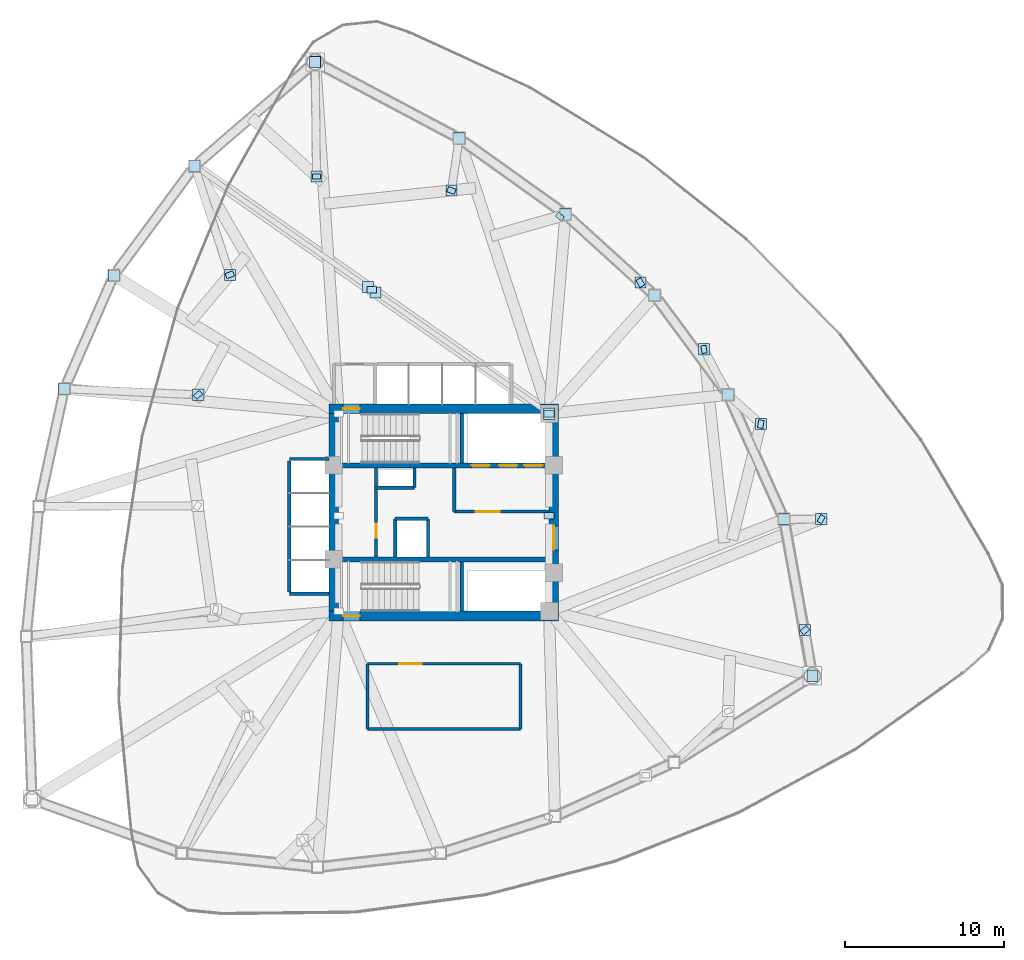
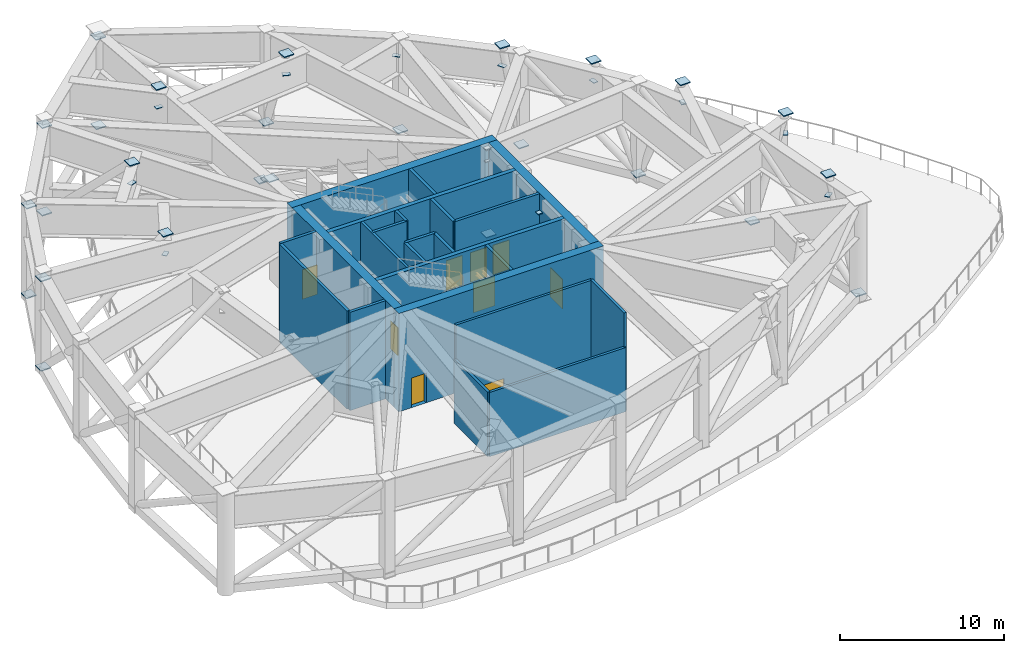
# One storey, part 4 of 8: 40 plates, 23 walls, 9 doors, 9 openings.
"""IFC4 building model written with IfcOpenShell, lengths in metres."""

import ifcopenshell
import ifcopenshell.guid

model = None  # the IFC model being written
_history = None  # IfcOwnerHistory: only IFC2X3 demands one
_inside = {}  # id of a spatial element -> (the spatial element, [elements in it])
_under = {}  # id of a project, library or spatial element -> (it, [spatial elements below it])
_declared = {}  # id of a project -> (the project, [libraries it declares])
_typed = {}  # id of a type object -> (the type object, [elements of that type])
_made_of = {}  # id of a material, layer set ... -> (it, [elements and type objects made of it])


def new_model(schema):
    """Start an empty IFC model of exactly this schema.

    Asked for "IFC4X3", IfcOpenShell would pick the latest addendum, in which some entities
    have other attributes; the version numbers below select the first issue.
    IFC2X3 requires an IfcOwnerHistory on every rooted entity: one is made here for all.
    """
    global model, _history
    if schema == "IFC4X3":
        model = ifcopenshell.file(schema_version=(4, 3, 0, 0))
    else:
        model = ifcopenshell.file(schema=schema)
    _inside.clear()
    _under.clear()
    _declared.clear()
    _typed.clear()
    _made_of.clear()
    _history = None
    if model.schema == "IFC2X3":
        org = make("IfcOrganization", Name="unknown")
        user = make(
            "IfcPersonAndOrganization",
            ThePerson=make("IfcPerson", FamilyName="unknown"),
            TheOrganization=org,
        )
        app = make(
            "IfcApplication",
            ApplicationDeveloper=org,
            Version="unknown",
            ApplicationFullName="unknown",
            ApplicationIdentifier="unknown",
        )
        _history = make(
            "IfcOwnerHistory",
            OwningUser=user,
            OwningApplication=app,
            ChangeAction="ADDED",
            CreationDate=0,
        )
    return model


def make(cls, **values):
    """One entity of the class cls with the attributes given. An attribute that is None is left unset."""
    return model.create_entity(
        cls, **{name: value for name, value in values.items() if value is not None}
    )


def rooted(cls, **values):
    """An entity with a GlobalId (a new one), such as an element, a storey or a relation."""
    return make(cls, GlobalId=ifcopenshell.guid.new(), OwnerHistory=_history, **values)


def si_unit(unit_type, name, prefix=None):
    """IfcSIUnit, for example si_unit("LENGTHUNIT", "METRE", prefix="MILLI")."""
    return make("IfcSIUnit", UnitType=unit_type, Prefix=prefix, Name=name)


def assignment(units):
    """IfcUnitAssignment: the units of a project."""
    return None if units is None else make("IfcUnitAssignment", Units=units)


def point(xyz):
    """IfcCartesianPoint."""
    return None if xyz is None else make("IfcCartesianPoint", Coordinates=xyz)


def direction(xyz):
    """IfcDirection."""
    return None if xyz is None else make("IfcDirection", DirectionRatios=xyz)


def frame(location, z_axis=None, x_axis=None):
    """IfcAxis2Placement3D, a coordinate frame: its origin and axes. An axis left out is left unset."""
    return make(
        "IfcAxis2Placement3D",
        Location=point(location),
        Axis=direction(z_axis),
        RefDirection=direction(x_axis),
    )


def frame_2d(location, x_axis=None):
    """IfcAxis2Placement2D, a coordinate frame in the plane: its origin and x axis."""
    return make(
        "IfcAxis2Placement2D", Location=point(location), RefDirection=direction(x_axis)
    )


def origin():
    """The frame at (0, 0, 0) with its axes left unset."""
    return frame((0.0, 0.0, 0.0))


def origin_2d():
    """The frame at (0, 0) in the plane with its x axis left unset."""
    return frame_2d((0.0, 0.0))


def place(relative_to, where):
    """IfcLocalPlacement: puts the frame where relative to a parent placement (None: the world)."""
    return make(
        "IfcLocalPlacement", PlacementRelTo=relative_to, RelativePlacement=where
    )


def context(
    kind, dimensions, precision=None, world=None, true_north=None, identifier=None
):
    """IfcGeometricRepresentationContext, for example the 3D "Model" context."""
    return make(
        "IfcGeometricRepresentationContext",
        ContextIdentifier=identifier,
        ContextType=kind,
        CoordinateSpaceDimension=dimensions,
        Precision=precision,
        WorldCoordinateSystem=world,
        TrueNorth=true_north,
    )


def subcontext(parent, identifier, kind, view, scale=None):
    """IfcGeometricRepresentationSubContext, for example "Body" below "Model"."""
    return make(
        "IfcGeometricRepresentationSubContext",
        ContextIdentifier=identifier,
        ContextType=kind,
        ParentContext=parent,
        TargetScale=scale,
        TargetView=view,
    )


def project(units=None, contexts=None):
    """IfcProject with its units and contexts."""
    return rooted(
        "IfcProject",
        Name="project",
        RepresentationContexts=contexts,
        UnitsInContext=assignment(units),
    )


def spatial(cls, under=None, at=None, **own):
    """A site, building, storey or space (cls), placed at a placement, below another one or the project."""
    s = rooted(cls, ObjectPlacement=at, **own)
    if under is not None:
        _under.setdefault(under.id(), (under, []))[1].append(s)
    return s


def profile(cls, at=None, kind="AREA", **sizes):
    """A parametric profile (cls). Its sizes go by their IFC names, for example OverallWidth=200.0."""
    return make(cls, ProfileType=kind, Position=at, **sizes)


def rectangle(**sizes):
    """IfcRectangleProfileDef."""
    return profile("IfcRectangleProfileDef", **sizes)


def extrude(swept, where, along, depth):
    """IfcExtrudedAreaSolid: the profile swept, set in the frame where, extruded along a direction by depth."""
    return make(
        "IfcExtrudedAreaSolid",
        SweptArea=swept,
        Position=where,
        ExtrudedDirection=direction(along),
        Depth=depth,
    )


def shape(context_of_items, identifier, shape_type, items):
    """IfcShapeRepresentation: the items that make up one representation, for example the "Body"."""
    return make(
        "IfcShapeRepresentation",
        ContextOfItems=context_of_items,
        RepresentationIdentifier=identifier,
        RepresentationType=shape_type,
        Items=items,
    )


def source(mapping_origin, context_of_items, identifier, shape_type, items):
    """IfcRepresentationMap: a shape defined once, which mapped items show again and again."""
    return make(
        "IfcRepresentationMap",
        MappingOrigin=mapping_origin,
        MappedRepresentation=shape(context_of_items, identifier, shape_type, items),
    )


def transform(
    local_origin,
    x_axis=None,
    y_axis=None,
    z_axis=None,
    scale=None,
    scale2=None,
    scale3=None,
    uniform=True,
):
    """IfcCartesianTransformationOperator3D, or its non-uniform kind. x_axis, y_axis, z_axis: its Axis1, 2, 3."""
    if uniform:
        return make(
            "IfcCartesianTransformationOperator3D",
            Axis1=direction(x_axis),
            Axis2=direction(y_axis),
            LocalOrigin=point(local_origin),
            Scale=scale,
            Axis3=direction(z_axis),
        )
    return make(
        "IfcCartesianTransformationOperator3DnonUniform",
        Axis1=direction(x_axis),
        Axis2=direction(y_axis),
        LocalOrigin=point(local_origin),
        Scale=scale,
        Axis3=direction(z_axis),
        Scale2=scale2,
        Scale3=scale3,
    )


def mapped(mapping_source, mapping_target):
    """IfcMappedItem: shows the shape of a source again, moved by a transform."""
    return make(
        "IfcMappedItem", MappingSource=mapping_source, MappingTarget=mapping_target
    )


def material(Name=None, Category=None):
    """IfcMaterial."""
    return make("IfcMaterial", Name=Name, Category=Category)


def layer(
    of_material, thickness, ventilated=None, Name=None, Category=None, Priority=None
):
    """IfcMaterialLayer: one layer of a wall or slab, of a material (None: an air gap)."""
    return make(
        "IfcMaterialLayer",
        Material=of_material,
        LayerThickness=thickness,
        IsVentilated=ventilated,
        Name=Name,
        Category=Category,
        Priority=Priority,
    )


def layer_set(layers, Name=None):
    """IfcMaterialLayerSet."""
    return make("IfcMaterialLayerSet", MaterialLayers=layers, LayerSetName=Name)


def made_of(thing, what):
    """Note that an element or type object is made of a material, layer set ...; save() writes the relation."""
    if what is not None:
        _made_of.setdefault(what.id(), (what, []))[1].append(thing)
    return thing


def type_object(cls, material=None, **own):
    """A type object (cls), such as IfcWallType, which elements share."""
    return made_of(rooted(cls, **own), material)


def type_shapes(of_type, sources):
    """Give a type object the sources (RepresentationMaps) that its elements show as mapped items."""
    of_type.RepresentationMaps = sources


def element(
    cls,
    number,
    at=None,
    inside=None,
    cuts=None,
    type_object=None,
    material=None,
    context=None,
    identifier="Body",
    shape_type=None,
    held_by="IfcProductDefinitionShape",
    body=None,
    shapes=None,
    **own,
):
    """One element of the class cls, such as IfcWall. Its Tag is "e" and its number.

    at: its placement. inside: the storey or other place that contains it. cuts: it is an
    opening in that element (IfcRelVoidsElement). A single representation is given by context,
    identifier, shape_type and body (its items); several are given by shapes. held_by: the class
    of the entity that holds the representations. save() writes the other relations.
    """
    e = rooted(cls, Tag="e%d" % number, ObjectPlacement=at, **own)
    if body is not None:
        shapes = [shape(context, identifier, shape_type, body)]
    if shapes is not None:
        e.Representation = make(held_by, Representations=shapes)
    if inside is not None:
        _inside.setdefault(inside.id(), (inside, []))[1].append(e)
    if cuts is not None:
        rooted(
            "IfcRelVoidsElement", RelatingBuildingElement=cuts, RelatedOpeningElement=e
        )
    if type_object is not None:
        _typed.setdefault(type_object.id(), (type_object, []))[1].append(e)
    return made_of(e, material)


def fill(opening, filler):
    """IfcRelFillsElement: the door or window that sits in an opening."""
    return rooted(
        "IfcRelFillsElement",
        RelatingOpeningElement=opening,
        RelatedBuildingElement=filler,
    )


def aggregate(whole, parts):
    """IfcRelAggregates: a whole, such as a stair, and the parts it consists of."""
    return rooted("IfcRelAggregates", RelatingObject=whole, RelatedObjects=parts)


def save(model, path):
    """Write the relations noted so far, then the file.

    IfcRelAggregates (storeys below a building ...), IfcRelContainedInSpatialStructure (elements
    in a storey), IfcRelDefinesByType, IfcRelAssociatesMaterial and IfcRelDeclares: one each for
    every whole, place, type object, material and project.
    """
    for whole, parts in _under.values():
        aggregate(whole, parts)
    for where, things in _inside.values():
        rooted(
            "IfcRelContainedInSpatialStructure",
            RelatedElements=things,
            RelatingStructure=where,
        )
    for kind, things in _typed.values():
        rooted("IfcRelDefinesByType", RelatedObjects=things, RelatingType=kind)
    for what, things in _made_of.values():
        rooted("IfcRelAssociatesMaterial", RelatedObjects=things, RelatingMaterial=what)
    for by, libraries in _declared.values():
        rooted("IfcRelDeclares", RelatingContext=by, RelatedDefinitions=libraries)
    model.write(path)


model = new_model("IFC4")

# Units and contexts
model_context = context("Model", 3, precision=1e-05, world=origin(), true_north=direction((0.0, 1.0)))
body_context = subcontext(model_context, "Body", "Model", "MODEL_VIEW")
ifc_project = project(units=[si_unit("LENGTHUNIT", "METRE"), si_unit("AREAUNIT", "SQUARE_METRE"), si_unit("VOLUMEUNIT", "CUBIC_METRE"), si_unit("PLANEANGLEUNIT", "RADIAN"), si_unit("MASSUNIT", "GRAM", prefix="KILO")], contexts=[model_context])

# Site, building, storey
site_placement = place(None, origin())
site = spatial("IfcSite", under=ifc_project, at=site_placement, CompositionType="ELEMENT")
building_placement = place(site_placement, origin())
building = spatial("IfcBuilding", under=site, at=building_placement, Name="Tavelor Broadcast Tower", CompositionType="ELEMENT")
storey_placement = place(building_placement, frame((0.0, 0.0, 102.800048828125)))
storey = spatial("IfcBuildingStorey", under=building, at=storey_placement, Name="L24", CompositionType="ELEMENT", Elevation=102.800048828125)

# Plates
ifc_material_1 = material(Name="Steel S460", Category="steel")
ifc_layer_1 = layer(ifc_material_1, 0.050048828125)
ifc_layer_set_1 = layer_set([ifc_layer_1], Name="Steel S460")
plate_type_1 = type_object("IfcPlateType", Name="Tube Hollow-End Cap Plate KN05 700x700x50", PredefinedType="USERDEFINED", material=ifc_layer_set_1)
shared_shape_1 = source(origin(), body_context, "Body", "SweptSolid", [
    extrude(rectangle(XDim=0.699951171875, YDim=0.699951171875, at=origin_2d()), origin(), (0.0, 0.0, 1.0), 0.074951171875),
])
type_shapes(plate_type_1, [shared_shape_1])
for number, where, z_axis, x_axis, name in (
    (1, (56.612060546875, 51.191650390625, 0.5087890625), (0.0, 0.0, 1.0), (1.0, 0.0, 0.0), "L24 Hollow End Cap Plate KN05 #700"),
    (2, (34.343994140625, 66.736083984375, 7.01611328125), (0.0, 0.0, 1.0), (1.0, 0.0, 0.0), "L24 Hollow End Cap Plate KN05 #701"),
    (3, (34.343994140625, 66.736083984375, 0.5087890625), (0.0, 0.0, 1.0), (1.0, 0.0, 0.0), "L24 Hollow End Cap Plate KN05 #702"),
    (4, (45.23486328125, 59.1337890625, 3.69140625), (0.0, 0.0, 1.0), (1.0, 0.0, 0.0), "L24 Hollow End Cap Plate KN05 #703"),
    (5, (45.72119140625, 58.794189453125, 3.83349609375), (0.0, 0.0, 1.0), (1.0, 0.0, 0.0), "L24 Hollow End Cap Plate KN05 #704"),
    (6, (56.612060546875, 51.191650390625, 7.01611328125), (0.0, 0.0, 1.0), (1.0, 0.0, 0.0), "L24 Hollow End Cap Plate KN05 #705"),
    (7, (41.934326171875, 73.276123046875, 0.3125), (0.0, 0.0, 1.0), (1.0, 0.0, 0.0), "L24 Hollow End Cap Plate KN05 #706"),
    (8, (29.283203125, 59.859375, 0.3125), (0.0, 0.0, 1.0), (1.0, 0.0, 0.0), "L24 Hollow End Cap Plate KN05 #707"),
    (9, (29.28515625, 59.862060546875, 6.9716796875), (0.0, 0.0, 1.0), (1.0, 0.0, 0.0), "L24 Hollow End Cap Plate KN05 #708"),
    (10, (26.183349609375, 52.744384765625, 0.3125), (0.0, 0.0, 1.0), (1.0, 0.0, 0.0), "L24 Hollow End Cap Plate KN05 #709"),
    (11, (26.184814453125, 52.747802734375, 6.97216796875), (0.0, 0.0, 1.0), (1.0, 0.0, 0.0), "L24 Hollow End Cap Plate KN05 #710"),
    (12, (73.130615234375, 34.751953125, 0.3125), (0.0, 0.0, 1.0), (1.0, 0.0, 0.0), "L24 Hollow End Cap Plate KN05 #722"),
    (13, (71.34130859375, 44.579345703125, 0.3125), (0.0, 0.0, 1.0), (1.0, 0.0, 0.0), "L24 Hollow End Cap Plate KN05 #723"),
    (14, (67.834716796875, 52.396240234375, 0.3125), (0.0, 0.0, 1.0), (1.0, 0.0, 0.0), "L24 Hollow End Cap Plate KN05 #724"),
    (15, (63.215087890625, 58.635986328125, 0.3125), (0.0, 0.0, 1.0), (1.0, 0.0, 0.0), "L24 Hollow End Cap Plate KN05 #725"),
    (16, (57.623779296875, 63.7080078125, 0.3125), (0.0, 0.0, 1.0), (1.0, 0.0, 0.0), "L24 Hollow End Cap Plate KN05 #726"),
    (17, (50.94970703125, 68.477294921875, 0.3125), (0.0, 0.0, 1.0), (1.0, 0.0, 0.0), "L24 Hollow End Cap Plate KN05 #727"),
    (18, (41.912109375, 73.272216796875, 6.970703125), (0.0, 0.0, 1.0), (1.0, 0.0, 0.0), "L24 Hollow End Cap Plate KN05 #728"),
    (19, (42.01123046875, 66.0693359375, 7.5732421875), (0.0, 0.0, 1.0), (1.0, 0.0, 0.0), "L24 Hollow End Cap Plate KN05 #729"),
    (20, (36.571044921875, 59.900634765625, 7.5732421875), (0.0, 0.0, 1.0), (1.0, 0.0, 0.0), "L24 Hollow End Cap Plate KN05 #730"),
    (21, (34.58642578125, 52.37890625, 7.572265625), (0.0, 0.0, 1.0), (1.0, 0.0, 0.0), "L24 Hollow End Cap Plate KN05 #731"),
    (22, (72.658447265625, 37.61279296875, 7.576171875), (0.0, 0.0, 1.0), (1.0, 0.0, 0.0), "L24 Hollow End Cap Plate KN05 #738"),
    (23, (73.6806640625, 44.57958984375, 7.57666015625), (0.0, 0.0, 1.0), (1.0, 0.0, 0.0), "L24 Hollow End Cap Plate KN05 #739"),
    (24, (69.89013671875, 50.54052734375, 7.57666015625), (0.0, 0.0, 1.0), (1.0, 0.0, 0.0), "L24 Hollow End Cap Plate KN05 #740"),
    (25, (66.319091796875, 55.234130859375, 7.576171875), (0.0, 0.0, 1.0), (1.0, 0.0, 0.0), "L24 Hollow End Cap Plate KN05 #741"),
    (26, (62.3291015625, 59.417724609375, 7.5771484375), (0.0, 0.0, 1.0), (1.0, 0.0, 0.0), "L24 Hollow End Cap Plate KN05 #742"),
    (27, (50.4716796875, 65.196044921875, 7.576171875), (0.0, 0.0, 1.0), (1.0, 0.0, 0.0), "L24 Hollow End Cap Plate KN05 #743"),
):
    element("IfcPlate", number, at=place(storey_placement, frame(where, z_axis=z_axis, x_axis=x_axis)), inside=storey, type_object=plate_type_1, Name=name, ObjectType="CAP PLATE", PredefinedType="USERDEFINED", context=body_context, shape_type="MappedRepresentation", body=[
        mapped(shared_shape_1, transform((0.0, 0.0, 0.0), scale=1.0)),
    ])
ifc_layer_2 = layer(ifc_material_1, 0.050048828125)
ifc_layer_set_2 = layer_set([ifc_layer_2], Name="Steel S460")
plate_type_2 = type_object("IfcPlateType", Name="Outrigger Node Gusset Plate KN03 600x400x50", PredefinedType="USERDEFINED", material=ifc_layer_set_2)
shared_shape_2 = source(origin(), body_context, "Body", "SweptSolid", [
    extrude(rectangle(XDim=0.60009765625, YDim=0.39990234375, at=origin_2d()), origin(), (0.0, 0.0, 1.0), 0.050048828125),
])
type_shapes(plate_type_2, [shared_shape_2])
for number, where, z_axis, x_axis, name in (
    (28, (56.60009765625, 44.800048828125, 6.02490234375), (0.0, 0.0, 1.0), (1.0, 0.0, 0.0), "L24 Outrigger Core Node Assembly KN03 #1"),
    (29, (45.47802734375, 58.9638671875, 3.77490234375), (0.0, 0.0, 1.0), (1.0, 0.0, 0.0), "L24 Outrigger X-Brace Crossing Gusset KN03 #2"),
    (30, (56.60009765625, 51.199951171875, 6.02490234375), (0.0, 0.0, 1.0), (1.0, 0.0, 0.0), "L24 Outrigger Core Node Assembly KN03 #2"),
):
    element("IfcPlate", number, at=place(storey_placement, frame(where, z_axis=z_axis, x_axis=x_axis)), inside=storey, type_object=plate_type_2, Name=name, ObjectType="GUSSET PLATE", PredefinedType="USERDEFINED", context=body_context, shape_type="MappedRepresentation", body=[
        mapped(shared_shape_2, transform((0.0, 0.0, 0.0), scale=1.0)),
    ])
ifc_layer_3 = layer(ifc_material_1, 0.0400390625)
ifc_layer_set_3 = layer_set([ifc_layer_3], Name="Steel S460")
plate_type_3 = type_object("IfcPlateType", Name="Belt Node Gusset Plate KN04 480x320x40", PredefinedType="USERDEFINED", material=ifc_layer_set_3)
shared_shape_3 = source(origin(), body_context, "Body", "SweptSolid", [
    extrude(rectangle(XDim=0.47998046875, YDim=0.320068359375, at=origin_2d()), origin(), (0.0, 0.0, 1.0), 0.0400390625),
])
type_shapes(plate_type_3, [shared_shape_3])
for number, where, z_axis, x_axis, name in (
    (31, (42.01123046875, 66.080078125, 6.030029296875), (0.0, 0.0, 1.0), (1.0, 0.0, 0.0), "L24 Belt Slide Node Assembly KN04 #01"),
    (32, (34.5751953125, 52.37939453125, 6.030029296875), (0.0, 0.0, 1.0), (0.766044443119, 0.642787609687, 0.0), "L24 Belt Slide Node Assembly KN04 #03"),
    (33, (73.676025390625, 44.57958984375, 6.030029296875), (0.0, 0.0, 1.0), (-0.5, -0.866025403784, 0.0), "L24 Belt Slide Node Assembly KN04 #13"),
    (34, (66.322021484375, 55.228759765625, 6.030029296875), (0.0, 0.0, 1.0), (0.173648177667, -0.984807753012, 0.0), "L24 Belt Slide Node Assembly KN04 #15"),
    (35, (57.276611328125, 63.568359375, 6.030029296875), (0.0, 0.0, 1.0), (0.766044443119, -0.642787609687, 0.0), "L24 Belt Slide Node Assembly KN04 #17"),
):
    element("IfcPlate", number, at=place(storey_placement, frame(where, z_axis=z_axis, x_axis=x_axis)), inside=storey, type_object=plate_type_3, Name=name, ObjectType="GUSSET PLATE", PredefinedType="USERDEFINED", context=body_context, shape_type="MappedRepresentation", body=[
        mapped(shared_shape_3, transform((0.0, 0.0, 0.0), scale=1.0)),
    ])
ifc_layer_4 = layer(ifc_material_1, 0.044921875)
ifc_layer_set_4 = layer_set([ifc_layer_4], Name="Steel S460")
plate_type_4 = type_object("IfcPlateType", Name="Slide Node Cap Plate KN06 500x340x45", PredefinedType="USERDEFINED", material=ifc_layer_set_4)
shared_shape_4 = source(origin(), body_context, "Body", "SweptSolid", [
    extrude(rectangle(XDim=0.5, YDim=0.340087890625, at=origin_2d()), origin(), (0.0, 0.0, 1.0), 0.044921875),
])
type_shapes(plate_type_4, [shared_shape_4])
for number, where, z_axis, x_axis, name in (
    (36, (36.567626953125, 59.91064453125, 6.027587890625), (0.0, 0.0, 1.0), (0.939692620786, 0.342020143326, 0.0), "L24 Belt Slide Node Assembly KN06 #02"),
    (37, (72.6591796875, 37.607421875, 6.027587890625), (0.0, 0.0, 1.0), (-0.766044443119, -0.642787609687, 0.0), "L24 Belt Slide Node Assembly KN06 #12"),
    (38, (69.885986328125, 50.544189453125, 6.027587890625), (0.0, 0.0, 1.0), (-0.173648177667, -0.984807753012, 0.0), "L24 Belt Slide Node Assembly KN06 #14"),
    (39, (62.330810546875, 59.416259765625, 6.027587890625), (0.0, 0.0, 1.0), (0.5, -0.866025403784, 0.0), "L24 Belt Slide Node Assembly KN06 #16"),
    (40, (50.472412109375, 65.2021484375, 6.027587890625), (0.0, 0.0, 1.0), (0.939692620786, -0.342020143326, 0.0), "L24 Belt Slide Node Assembly KN06 #18"),
):
    element("IfcPlate", number, at=place(storey_placement, frame(where, z_axis=z_axis, x_axis=x_axis)), inside=storey, type_object=plate_type_4, Name=name, ObjectType="CAP PLATE", PredefinedType="USERDEFINED", context=body_context, shape_type="MappedRepresentation", body=[
        mapped(shared_shape_4, transform((0.0, 0.0, 0.0), scale=1.0)),
    ])

# Wall, opening, door
ifc_material_2 = material(Name="Concrete C60/75", Category="concrete")
ifc_layer_5 = layer(ifc_material_2, 0.60009765625)
ifc_layer_set_5 = layer_set([ifc_layer_5], Name="Concrete C60/75")
wall_type_1 = type_object("IfcWallType", Name="Core Shear Wall 600 mm", PredefinedType="SHEAR", material=ifc_layer_set_5)
wall_1_placement = place(storey_placement, frame((42.800048828125, 51.5, 0.0), z_axis=(0.0, 0.0, 1.0), x_axis=(1.0, 0.0, 0.0)))
wall_1 = element("IfcWall", 41, at=wall_1_placement, inside=storey, type_object=wall_type_1, Name="L24 Central Core Shear Wall N", PredefinedType="SHEAR", context=body_context, shape_type="SweptSolid", body=[
    extrude(rectangle(XDim=14.39990234375, YDim=0.60009765625, at=frame_2d((7.199951171875, 0.0))), origin(), (0.0, 0.0, 1.0), 7.300048828125),
])
opening_1_placement = place(wall_1_placement, frame((0.8798828125, 0.0, 0.0)))
opening_1 = element("IfcOpeningElement", 42, at=opening_1_placement, cuts=wall_1, Name="Opening DR11", PredefinedType="OPENING", context=body_context, shape_type="SweptSolid", body=[
    extrude(rectangle(XDim=1.050048828125, YDim=2.199951171875, at=frame_2d((0.52490234375, 1.10009765625))), frame((0.0, 0.31005859375, 0.0), z_axis=(0.0, -1.0, 0.0), x_axis=(1.0, 0.0, 0.0)), (0.0, 0.0, 1.0), 0.6201171875),
])
ifc_material_3 = material(Name="Steel S355", Category="steel")
door_type_1 = type_object("IfcDoorType", Name="Stair Core Fire Escape Door 1050x2200", OperationType="NOTDEFINED", PredefinedType="DOOR", material=ifc_material_3)
door_1_placement = place(opening_1_placement, origin())
door_1 = element("IfcDoor", 43, at=door_1_placement, inside=storey, type_object=door_type_1, Name="L24 Stair ST1 Protected Exit Door", OperationType="SINGLE_SWING_LEFT", OverallHeight=2.199951171875, OverallWidth=1.050048828125, PredefinedType="DOOR", context=body_context, shape_type="SweptSolid", body=[
    extrude(rectangle(XDim=1.050048828125, YDim=2.199951171875, at=frame_2d((0.52490234375, 1.10009765625))), frame((0.0, 0.02490234375, 0.0), z_axis=(0.0, -1.0, 0.0), x_axis=(1.0, 0.0, 0.0)), (0.0, 0.0, 1.0), 0.050048828125),
])
fill(opening_1, door_1)

wall_2_placement = place(storey_placement, frame((42.800048828125, 38.5, 0.0), z_axis=(0.0, 0.0, 1.0), x_axis=(1.0, 0.0, 0.0)))
wall_2 = element("IfcWall", 44, at=wall_2_placement, inside=storey, type_object=wall_type_1, Name="L24 Central Core Shear Wall S", PredefinedType="SHEAR", context=body_context, shape_type="SweptSolid", body=[
    extrude(rectangle(XDim=14.39990234375, YDim=0.60009765625, at=frame_2d((7.199951171875, 0.0))), origin(), (0.0, 0.0, 1.0), 7.300048828125),
])
opening_2_placement = place(wall_2_placement, frame((0.8798828125, 0.0, 0.0)))
opening_2 = element("IfcOpeningElement", 45, at=opening_2_placement, cuts=wall_2, Name="Opening DR11", PredefinedType="OPENING", context=body_context, shape_type="SweptSolid", body=[
    extrude(rectangle(XDim=1.050048828125, YDim=2.199951171875, at=frame_2d((0.52490234375, 1.10009765625))), frame((0.0, 0.31005859375, 0.0), z_axis=(0.0, -1.0, 0.0), x_axis=(1.0, 0.0, 0.0)), (0.0, 0.0, 1.0), 0.6201171875),
])
door_2_placement = place(opening_2_placement, origin())
door_2 = element("IfcDoor", 46, at=door_2_placement, inside=storey, type_object=door_type_1, Name="L24 Stair ST2 Protected Exit Door", OperationType="SINGLE_SWING_RIGHT", OverallHeight=2.199951171875, OverallWidth=1.050048828125, PredefinedType="DOOR", context=body_context, shape_type="SweptSolid", body=[
    extrude(rectangle(XDim=1.050048828125, YDim=2.199951171875, at=frame_2d((0.52490234375, 1.10009765625))), frame((0.0, 0.02490234375, 0.0), z_axis=(0.0, -1.0, 0.0), x_axis=(1.0, 0.0, 0.0)), (0.0, 0.0, 1.0), 0.050048828125),
])
fill(opening_2, door_2)

# Wall
wall_3_placement = place(storey_placement, frame((43.10009765625, 38.800048828125, 0.0), z_axis=(0.0, 0.0, 1.0), x_axis=(0.0, 1.0, 0.0)))
element("IfcWall", 47, at=wall_3_placement, inside=storey, type_object=wall_type_1, Name="L24 Central Core Shear Wall W", PredefinedType="SHEAR", context=body_context, shape_type="SweptSolid", body=[
    extrude(rectangle(XDim=12.39990234375, YDim=0.60009765625, at=frame_2d((6.199951171875, 0.0))), origin(), (0.0, 0.0, 1.0), 7.300048828125),
])

# Wall, opening, door
wall_4_placement = place(storey_placement, frame((56.89990234375, 38.800048828125, 0.0), z_axis=(0.0, 0.0, 1.0), x_axis=(0.0, 1.0, 0.0)))
wall_4 = element("IfcWall", 48, at=wall_4_placement, inside=storey, type_object=wall_type_1, Name="L24 Central Core Shear Wall E", PredefinedType="SHEAR", context=body_context, shape_type="SweptSolid", body=[
    extrude(rectangle(XDim=12.39990234375, YDim=0.60009765625, at=frame_2d((6.199951171875, 0.0))), origin(), (0.0, 0.0, 1.0), 7.300048828125),
])
opening_3_placement = place(wall_4_placement, frame((3.85009765625, 0.0, 0.0)))
opening_3 = element("IfcOpeningElement", 49, at=opening_3_placement, cuts=wall_4, Name="Opening DR14", PredefinedType="OPENING", context=body_context, shape_type="SweptSolid", body=[
    extrude(rectangle(XDim=1.5, YDim=2.199951171875, at=frame_2d((0.75, 1.10009765625))), frame((0.0, 0.31005859375, 0.0), z_axis=(0.0, -1.0, 0.0), x_axis=(1.0, 0.0, 0.0)), (0.0, 0.0, 1.0), 0.6201171875),
])
door_type_2 = type_object("IfcDoorType", Name="Firefighting Lobby Double Fire Door 1500x2200", OperationType="NOTDEFINED", PredefinedType="DOOR", material=ifc_material_3)
door_3_placement = place(opening_3_placement, origin())
door_3 = element("IfcDoor", 50, at=door_3_placement, inside=storey, type_object=door_type_2, Name="L24 Central Core Lobby Fire Door", OperationType="SINGLE_SWING_RIGHT", OverallHeight=2.199951171875, OverallWidth=1.5, PredefinedType="DOOR", context=body_context, shape_type="SweptSolid", body=[
    extrude(rectangle(XDim=1.5, YDim=2.199951171875, at=frame_2d((0.75, 1.10009765625))), frame((0.0, 0.02490234375, 0.0), z_axis=(0.0, -1.0, 0.0), x_axis=(1.0, 0.0, 0.0)), (0.0, 0.0, 1.0), 0.050048828125),
])
fill(opening_3, door_3)

# Wall, openings, doors
ifc_layer_6 = layer(ifc_material_2, 0.300048828125)
ifc_layer_set_6 = layer_set([ifc_layer_6], Name="Concrete C60/75")
wall_type_2 = type_object("IfcWallType", Name="Core Spine Shear Wall 300 mm C60", PredefinedType="SHEAR", material=ifc_layer_set_6)
wall_5_placement = place(storey_placement, frame((43.39990234375, 47.949951171875, 0.0), z_axis=(0.0, 0.0, 1.0), x_axis=(1.0, 0.0, 0.0)))
wall_5 = element("IfcWall", 51, at=wall_5_placement, inside=storey, type_object=wall_type_2, Name="L24 Central Core Shear Wall SP1", PredefinedType="SHEAR", context=body_context, shape_type="SweptSolid", body=[
    extrude(rectangle(XDim=13.2001953125, YDim=0.300048828125, at=frame_2d((6.60009765625, 0.0))), origin(), (0.0, 0.0, 1.0), 7.300048828125),
])
opening_4_placement = place(wall_5_placement, frame((8.344970703125, 0.0, 0.0)))
opening_4 = element("IfcOpeningElement", 52, at=opening_4_placement, cuts=wall_5, Name="Opening LD02", PredefinedType="OPENING", context=body_context, shape_type="SweptSolid", body=[
    extrude(rectangle(XDim=1.14990234375, YDim=2.199951171875, at=frame_2d((0.574951171875, 1.10009765625))), frame((0.0, 0.16015625, 0.0), z_axis=(0.0, -1.0, 0.0), x_axis=(1.0, 0.0, 0.0)), (0.0, 0.0, 1.0), 0.320068359375),
])
opening_5_placement = place(wall_5_placement, frame((10.06494140625, 0.0, 0.0)))
opening_5 = element("IfcOpeningElement", 53, at=opening_5_placement, cuts=wall_5, Name="Opening LD02", PredefinedType="OPENING", context=body_context, shape_type="SweptSolid", body=[
    extrude(rectangle(XDim=1.14990234375, YDim=2.199951171875, at=frame_2d((0.574951171875, 1.10009765625))), frame((0.0, 0.16015625, 0.0), z_axis=(0.0, -1.0, 0.0), x_axis=(1.0, 0.0, 0.0)), (0.0, 0.0, 1.0), 0.320068359375),
])
opening_6_placement = place(wall_5_placement, frame((11.64501953125, 0.0, 0.0)))
opening_6 = element("IfcOpeningElement", 54, at=opening_6_placement, cuts=wall_5, Name="Opening LD03", PredefinedType="OPENING", context=body_context, shape_type="SweptSolid", body=[
    extrude(rectangle(XDim=1.14990234375, YDim=2.199951171875, at=frame_2d((0.574951171875, 1.10009765625))), frame((0.0, 0.16015625, 0.0), z_axis=(0.0, -1.0, 0.0), x_axis=(1.0, 0.0, 0.0)), (0.0, 0.0, 1.0), 0.320068359375),
])
ifc_material_4 = material(Name="Reinforced Brushed Stainless Steel", Category="concrete")
door_type_3 = type_object("IfcDoorType", Name="Broadcast Goods Lift Sliding Landing Door 1250x2200", OperationType="NOTDEFINED", PredefinedType="DOOR", material=ifc_material_4)
door_4_placement = place(opening_6_placement, origin())
door_4 = element("IfcDoor", 55, at=door_4_placement, inside=storey, type_object=door_type_3, Name="L24 Lift SVL1 Sliding Landing Door", OperationType="SLIDING_TO_LEFT", OverallHeight=2.199951171875, OverallWidth=1.14990234375, PredefinedType="DOOR", context=body_context, shape_type="SweptSolid", body=[
    extrude(rectangle(XDim=1.14990234375, YDim=2.199951171875, at=frame_2d((0.574951171875, 1.10009765625))), frame((0.0, 0.02490234375, 0.0), z_axis=(0.0, -1.0, 0.0), x_axis=(1.0, 0.0, 0.0)), (0.0, 0.0, 1.0), 0.050048828125),
])
fill(opening_6, door_4)
ifc_material_5 = material(Name="Fire-Rated Stainless Steel", Category="steel")
door_type_4 = type_object("IfcDoorType", Name="Firefighting Lift Sliding Landing Door 1200x2200", OperationType="NOTDEFINED", PredefinedType="DOOR", material=ifc_material_5)
door_5_placement = place(opening_4_placement, origin())
door_5 = element("IfcDoor", 56, at=door_5_placement, inside=storey, type_object=door_type_4, Name="L24 Lift FFL1 Sliding Landing Door", OperationType="SLIDING_TO_LEFT", OverallHeight=2.199951171875, OverallWidth=1.14990234375, PredefinedType="DOOR", context=body_context, shape_type="SweptSolid", body=[
    extrude(rectangle(XDim=1.14990234375, YDim=2.199951171875, at=frame_2d((0.574951171875, 1.10009765625))), frame((0.0, 0.02490234375, 0.0), z_axis=(0.0, -1.0, 0.0), x_axis=(1.0, 0.0, 0.0)), (0.0, 0.0, 1.0), 0.050048828125),
])
fill(opening_4, door_5)
door_6_placement = place(opening_5_placement, origin())
door_6 = element("IfcDoor", 57, at=door_6_placement, inside=storey, type_object=door_type_4, Name="L24 Lift FFL2 Sliding Landing Door", OperationType="SLIDING_TO_LEFT", OverallHeight=2.199951171875, OverallWidth=1.14990234375, PredefinedType="DOOR", context=body_context, shape_type="SweptSolid", body=[
    extrude(rectangle(XDim=1.14990234375, YDim=2.199951171875, at=frame_2d((0.574951171875, 1.10009765625))), frame((0.0, 0.02490234375, 0.0), z_axis=(0.0, -1.0, 0.0), x_axis=(1.0, 0.0, 0.0)), (0.0, 0.0, 1.0), 0.050048828125),
])
fill(opening_5, door_6)

# Wall
wall_6_placement = place(storey_placement, frame((43.39990234375, 42.050048828125, 0.0), z_axis=(0.0, 0.0, 1.0), x_axis=(1.0, 0.0, 0.0)))
element("IfcWall", 58, at=wall_6_placement, inside=storey, type_object=wall_type_2, Name="L24 Central Core Shear Wall SP2", PredefinedType="SHEAR", context=body_context, shape_type="SweptSolid", body=[
    extrude(rectangle(XDim=13.2001953125, YDim=0.300048828125, at=frame_2d((6.60009765625, 0.0))), origin(), (0.0, 0.0, 1.0), 7.300048828125),
])

# Wall, opening, door
ifc_material_6 = material(Name="Calcium Silicate Fire Board 180 mm", Category="gypsum")
ifc_layer_7 = layer(ifc_material_6, 0.179931640625)
ifc_layer_set_7 = layer_set([ifc_layer_7], Name="Calcium Silicate Fire Board 180 mm")
wall_type_3 = type_object("IfcWallType", Name="Fire-Rated Corridor Partition Wall 180 mm", PredefinedType="PARTITIONING", material=ifc_layer_set_7)
wall_7_placement = place(storey_placement, frame((45.75, 42.199951171875, 0.0), z_axis=(0.0, 0.0, 1.0), x_axis=(0.0, 1.0, 0.0)))
wall_7 = element("IfcWall", 59, at=wall_7_placement, inside=storey, type_object=wall_type_3, Name="L24 Core West Service East Wall", PredefinedType="PARTITIONING", context=body_context, shape_type="SweptSolid", body=[
    extrude(rectangle(XDim=5.60009765625, YDim=0.179931640625, at=frame_2d((2.800048828125, 0.0))), origin(), (0.0, 0.0, 1.0), 7.300048828125),
])
opening_7_placement = place(wall_7_placement, frame((1.199951171875, 0.0, 0.0)))
opening_7 = element("IfcOpeningElement", 60, at=opening_7_placement, cuts=wall_7, Name="Opening DR32", PredefinedType="OPENING", context=body_context, shape_type="SweptSolid", body=[
    extrude(rectangle(XDim=0.89990234375, YDim=2.050048828125, at=frame_2d((0.449951171875, 1.02490234375))), frame((0.0, 0.10009765625, 0.0), z_axis=(0.0, -1.0, 0.0), x_axis=(1.0, 0.0, 0.0)), (0.0, 0.0, 1.0), 0.199951171875),
])
ifc_material_7 = material(Name="Timber Solid Core Hardwood", Category="wood")
door_type_5 = type_object("IfcDoorType", Name="Accessible Washroom Door 900x2050", OperationType="NOTDEFINED", PredefinedType="DOOR", material=ifc_material_7)
door_7_placement = place(opening_7_placement, origin())
door_7 = element("IfcDoor", 61, at=door_7_placement, inside=storey, type_object=door_type_5, Name="L24 Core Plant Room Door", OperationType="SINGLE_SWING_LEFT", OverallHeight=2.050048828125, OverallWidth=0.89990234375, PredefinedType="DOOR", context=body_context, shape_type="SweptSolid", body=[
    extrude(rectangle(XDim=0.89990234375, YDim=2.050048828125, at=frame_2d((0.449951171875, 1.02490234375))), frame((0.0, 0.02490234375, 0.0), z_axis=(0.0, -1.0, 0.0), x_axis=(1.0, 0.0, 0.0)), (0.0, 0.0, 1.0), 0.050048828125),
])
fill(opening_7, door_7)

wall_8_placement = place(storey_placement, frame((45.199951171875, 35.5, 0.0), z_axis=(0.0, 0.0, 1.0), x_axis=(1.0, 0.0, 0.0)))
wall_8 = element("IfcWall", 62, at=wall_8_placement, inside=storey, type_object=wall_type_3, Name="L24 Wind Monitoring Plant North Wall", PredefinedType="PARTITIONING", context=body_context, shape_type="SweptSolid", body=[
    extrude(rectangle(XDim=9.60009765625, YDim=0.179931640625, at=frame_2d((4.800048828125, 0.0))), origin(), (0.0, 0.0, 1.0), 7.300048828125),
])
opening_8_placement = place(wall_8_placement, frame((2.0, 0.0, 0.0)))
opening_8 = element("IfcOpeningElement", 63, at=opening_8_placement, cuts=wall_8, Name="Opening DR41", PredefinedType="OPENING", context=body_context, shape_type="SweptSolid", body=[
    extrude(rectangle(XDim=1.39990234375, YDim=2.14990234375, at=frame_2d((0.699951171875, 1.074951171875))), frame((0.0, 0.10009765625, 0.0), z_axis=(0.0, -1.0, 0.0), x_axis=(1.0, 0.0, 0.0)), (0.0, 0.0, 1.0), 0.199951171875),
])
door_type_6 = type_object("IfcDoorType", Name="Plant Room Double Fire Door 1400x2150", OperationType="NOTDEFINED", PredefinedType="DOOR", material=ifc_material_3)
door_8_placement = place(opening_8_placement, origin())
door_8 = element("IfcDoor", 64, at=door_8_placement, inside=storey, type_object=door_type_6, Name="L24 Wind Monitoring Plant Door", OperationType="SINGLE_SWING_RIGHT", OverallHeight=2.14990234375, OverallWidth=1.39990234375, PredefinedType="DOOR", context=body_context, shape_type="SweptSolid", body=[
    extrude(rectangle(XDim=1.39990234375, YDim=2.14990234375, at=frame_2d((0.699951171875, 1.074951171875))), frame((0.0, 0.02490234375, 0.0), z_axis=(0.0, -1.0, 0.0), x_axis=(1.0, 0.0, 0.0)), (0.0, 0.0, 1.0), 0.050048828125),
])
fill(opening_8, door_8)

# Walls
wall_9_placement = place(storey_placement, frame((45.199951171875, 31.39990234375, 0.0), z_axis=(0.0, 0.0, 1.0), x_axis=(1.0, 0.0, 0.0)))
element("IfcWall", 65, at=wall_9_placement, inside=storey, type_object=wall_type_3, Name="L24 Wind Monitoring Plant South Wall", PredefinedType="PARTITIONING", context=body_context, shape_type="SweptSolid", body=[
    extrude(rectangle(XDim=9.60009765625, YDim=0.179931640625, at=frame_2d((4.800048828125, 0.0))), origin(), (0.0, 0.0, 1.0), 4.77490234375),
])
wall_10_placement = place(storey_placement, frame((45.199951171875, 31.39990234375, 0.0), z_axis=(0.0, 0.0, 1.0), x_axis=(0.0, 1.0, 0.0)))
element("IfcWall", 66, at=wall_10_placement, inside=storey, type_object=wall_type_3, Name="L24 Wind Monitoring Plant West Wall", PredefinedType="PARTITIONING", context=body_context, shape_type="SweptSolid", body=[
    extrude(rectangle(XDim=4.10009765625, YDim=0.179931640625, at=frame_2d((2.050048828125, 0.0))), origin(), (0.0, 0.0, 1.0), 4.77490234375),
])
wall_11_placement = place(storey_placement, frame((54.800048828125, 31.39990234375, 0.0), z_axis=(0.0, 0.0, 1.0), x_axis=(0.0, 1.0, 0.0)))
element("IfcWall", 67, at=wall_11_placement, inside=storey, type_object=wall_type_3, Name="L24 Wind Monitoring Plant East Wall", PredefinedType="PARTITIONING", context=body_context, shape_type="SweptSolid", body=[
    extrude(rectangle(XDim=4.10009765625, YDim=0.179931640625, at=frame_2d((2.050048828125, 0.0))), origin(), (0.0, 0.0, 1.0), 7.300048828125),
])
ifc_material_8 = material(Name="Concrete Blockwork 200 mm", Category="masonry")
ifc_layer_8 = layer(ifc_material_8, 0.199951171875)
ifc_layer_set_8 = layer_set([ifc_layer_8], Name="Concrete Blockwork 200 mm")
wall_type_4 = type_object("IfcWallType", Name="Lift Hoistway Rated Front Wall 200 mm", PredefinedType="PARTITIONING", material=ifc_layer_set_8)
wall_12_placement = place(storey_placement, frame((40.300048828125, 40.02001953125, 0.0), z_axis=(0.0, 0.0, 1.0), x_axis=(0.0, 1.0, 0.0)))
element("IfcWall", 68, at=wall_12_placement, inside=storey, type_object=wall_type_4, Name="L24 Low-Rise Lift Hoistway Front Wall", PredefinedType="PARTITIONING", context=body_context, shape_type="SweptSolid", body=[
    extrude(rectangle(XDim=8.2099609375, YDim=0.199951171875, at=frame_2d((4.10498046875, 0.0))), origin(), (0.0, 0.0, 1.0), 7.300048828125),
])
wall_13_placement = place(storey_placement, frame((49.0, 42.199951171875, 0.0), z_axis=(0.0, 0.0, 1.0), x_axis=(0.0, 1.0, 0.0)))
element("IfcWall", 69, at=wall_13_placement, inside=storey, type_object=wall_type_4, Name="L24 Mid-Rise Lift PLM4 Hoistway Front Wall", PredefinedType="PARTITIONING", context=body_context, shape_type="SweptSolid", body=[
    extrude(rectangle(XDim=2.400146484375, YDim=0.199951171875, at=frame_2d((1.2001953125, 0.0))), origin(), (0.0, 0.0, 1.0), 7.300048828125),
])
ifc_layer_9 = layer(ifc_material_8, 0.199951171875)
ifc_layer_set_9 = layer_set([ifc_layer_9], Name="Concrete Blockwork 200 mm")
wall_type_5 = type_object("IfcWallType", Name="Lift and Riser Shaft Enclosure Wall 200 mm", PredefinedType="PARTITIONING", material=ifc_layer_set_9)
for number, where, z_axis, x_axis, name in (
    (70, (40.300048828125, 39.89990234375, 0.0), (0.0, 0.0, 1.0), (1.0, 0.0, 0.0), "L24 Low-Rise Lift Shaft South Wall"),
    (71, (40.300048828125, 48.35009765625, 0.0), (0.0, 0.0, 1.0), (1.0, 0.0, 0.0), "L24 Low-Rise Lift Shaft North Wall"),
):
    element("IfcWall", number, at=place(storey_placement, frame(where, z_axis=z_axis, x_axis=x_axis)), inside=storey, type_object=wall_type_5, Name=name, PredefinedType="PARTITIONING", context=body_context, shape_type="SweptSolid", body=[
        extrude(rectangle(XDim=2.5, YDim=0.199951171875, at=frame_2d((1.25, 0.0))), origin(), (0.0, 0.0, 1.0), 7.300048828125),
    ])
wall_14_placement = place(storey_placement, frame((45.75, 46.550048828125, 0.0), z_axis=(0.0, 0.0, 1.0), x_axis=(1.0, 0.0, 0.0)))
element("IfcWall", 72, at=wall_14_placement, inside=storey, type_object=wall_type_5, Name="L24 Riser Shaft South Wall", PredefinedType="PARTITIONING", context=body_context, shape_type="SweptSolid", body=[
    extrude(rectangle(XDim=2.39990234375, YDim=0.199951171875, at=frame_2d((1.199951171875, 0.0))), origin(), (0.0, 0.0, 1.0), 7.300048828125),
])
wall_15_placement = place(storey_placement, frame((48.14990234375, 46.550048828125, 0.0), z_axis=(0.0, 0.0, 1.0), x_axis=(0.0, 1.0, 0.0)))
element("IfcWall", 73, at=wall_15_placement, inside=storey, type_object=wall_type_5, Name="L24 Riser Shaft East Wall", PredefinedType="PARTITIONING", context=body_context, shape_type="SweptSolid", body=[
    extrude(rectangle(XDim=1.25, YDim=0.199951171875, at=frame_2d((0.625, 0.0))), origin(), (0.0, 0.0, 1.0), 7.300048828125),
])
wall_16_placement = place(storey_placement, frame((46.949951171875, 42.199951171875, 0.0), z_axis=(0.0, 0.0, 1.0), x_axis=(0.0, 1.0, 0.0)))
element("IfcWall", 74, at=wall_16_placement, inside=storey, type_object=wall_type_5, Name="L24 Mid-Rise Lift PLM4 West Wall", PredefinedType="PARTITIONING", context=body_context, shape_type="SweptSolid", body=[
    extrude(rectangle(XDim=2.400146484375, YDim=0.199951171875, at=frame_2d((1.2001953125, 0.0))), origin(), (0.0, 0.0, 1.0), 7.300048828125),
])
wall_17_placement = place(storey_placement, frame((46.949951171875, 44.60009765625, 0.0), z_axis=(0.0, 0.0, 1.0), x_axis=(1.0, 0.0, 0.0)))
element("IfcWall", 75, at=wall_17_placement, inside=storey, type_object=wall_type_5, Name="L24 Mid-Rise Lift PLM4 North Wall", PredefinedType="PARTITIONING", context=body_context, shape_type="SweptSolid", body=[
    extrude(rectangle(XDim=2.050048828125, YDim=0.199951171875, at=frame_2d((1.02490234375, 0.0))), origin(), (0.0, 0.0, 1.0), 7.300048828125),
])

# Wall, opening, door
wall_18_placement = place(storey_placement, frame((50.64990234375, 45.050048828125, 0.0), z_axis=(0.0, 0.0, 1.0), x_axis=(1.0, 0.0, 0.0)))
wall_18 = element("IfcWall", 76, at=wall_18_placement, inside=storey, type_object=wall_type_5, Name="L24 Firefighting Lobby South Wall", PredefinedType="PARTITIONING", context=body_context, shape_type="SweptSolid", body=[
    extrude(rectangle(XDim=5.9501953125, YDim=0.199951171875, at=frame_2d((2.97509765625, 0.0))), origin(), (0.0, 0.0, 1.0), 7.300048828125),
])
opening_9_placement = place(wall_18_placement, frame((1.35009765625, 0.0, 0.0)))
opening_9 = element("IfcOpeningElement", 77, at=opening_9_placement, cuts=wall_18, Name="Opening DR14", PredefinedType="OPENING", context=body_context, shape_type="SweptSolid", body=[
    extrude(rectangle(XDim=1.5, YDim=2.199951171875, at=frame_2d((0.75, 1.10009765625))), frame((0.0, 0.10986328125, 0.0), z_axis=(0.0, -1.0, 0.0), x_axis=(1.0, 0.0, 0.0)), (0.0, 0.0, 1.0), 0.219970703125),
])
door_9_placement = place(opening_9_placement, origin())
door_9 = element("IfcDoor", 78, at=door_9_placement, inside=storey, type_object=door_type_2, Name="L24 Firefighting Lobby Compartment Door", OperationType="SINGLE_SWING_LEFT", OverallHeight=2.199951171875, OverallWidth=1.5, PredefinedType="DOOR", context=body_context, shape_type="SweptSolid", body=[
    extrude(rectangle(XDim=1.5, YDim=2.199951171875, at=frame_2d((0.75, 1.10009765625))), frame((0.0, 0.02490234375, 0.0), z_axis=(0.0, -1.0, 0.0), x_axis=(1.0, 0.0, 0.0)), (0.0, 0.0, 1.0), 0.050048828125),
])
fill(opening_9, door_9)

# Walls
wall_19_placement = place(storey_placement, frame((50.64990234375, 45.050048828125, 0.0), z_axis=(0.0, 0.0, 1.0), x_axis=(0.0, 1.0, 0.0)))
element("IfcWall", 79, at=wall_19_placement, inside=storey, type_object=wall_type_5, Name="L24 Firefighting Lobby West Wall", PredefinedType="PARTITIONING", context=body_context, shape_type="SweptSolid", body=[
    extrude(rectangle(XDim=2.75, YDim=0.199951171875, at=frame_2d((1.375, 0.0))), origin(), (0.0, 0.0, 1.0), 7.300048828125),
])
ifc_material_9 = material(Name="Concrete C40/50", Category="concrete")
ifc_layer_10 = layer(ifc_material_9, 0.219970703125)
ifc_layer_set_10 = layer_set([ifc_layer_10], Name="Concrete C40/50")
wall_type_6 = type_object("IfcWallType", Name="Structural Stairwell Shear Wall 220 mm", PredefinedType="SHEAR", material=ifc_layer_set_10)
for number, where, z_axis, x_axis, name in (
    (80, (51.110107421875, 48.10009765625, 0.0), (0.0, 0.0, 1.0), (0.0, 1.0, 0.0), "L24 Stair ST1 Structural Shaft Wall"),
    (81, (51.110107421875, 38.800048828125, 0.0), (0.0, 0.0, 1.0), (0.0, 1.0, 0.0), "L24 Stair ST2 Structural Shaft Wall"),
):
    element("IfcWall", number, at=place(storey_placement, frame(where, z_axis=z_axis, x_axis=x_axis)), inside=storey, type_object=wall_type_6, Name=name, PredefinedType="SHEAR", context=body_context, shape_type="SweptSolid", body=[
        extrude(rectangle(XDim=3.099853515625, YDim=0.219970703125, at=frame_2d((1.5498046875, 0.0))), origin(), (0.0, 0.0, 1.0), 7.300048828125),
    ])

save(model, "model.ifc")
